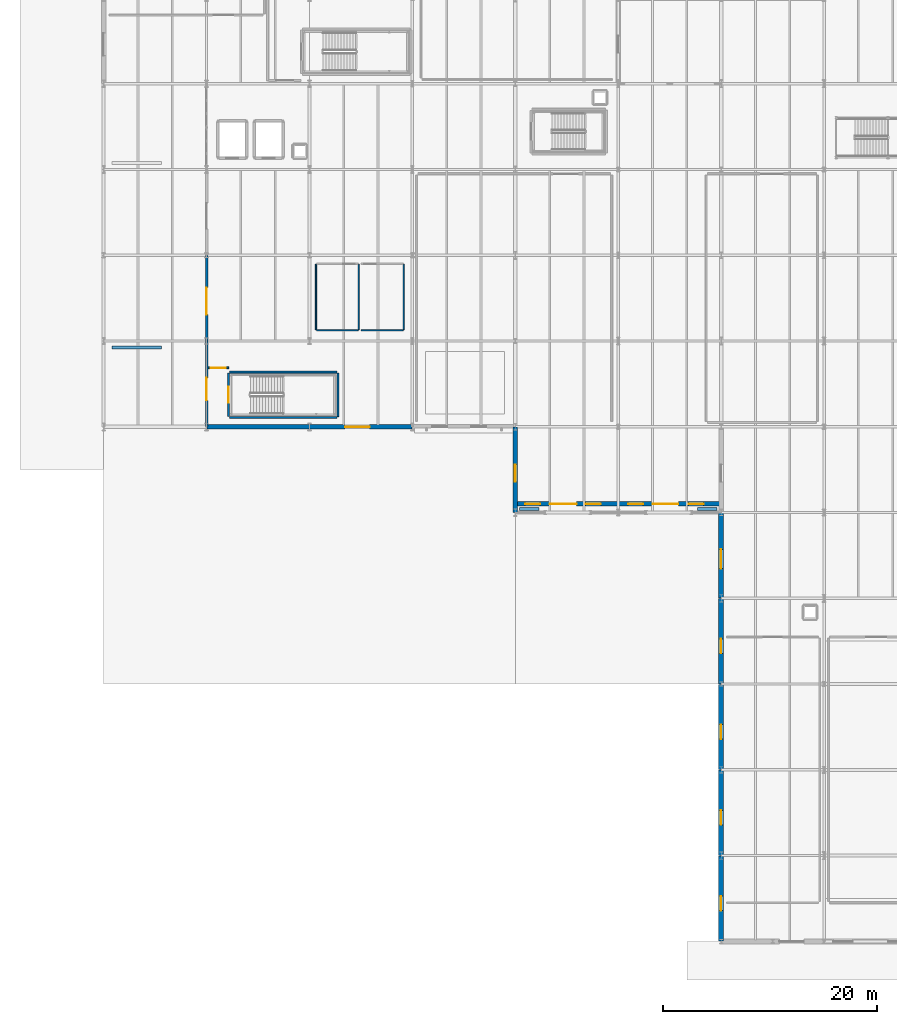
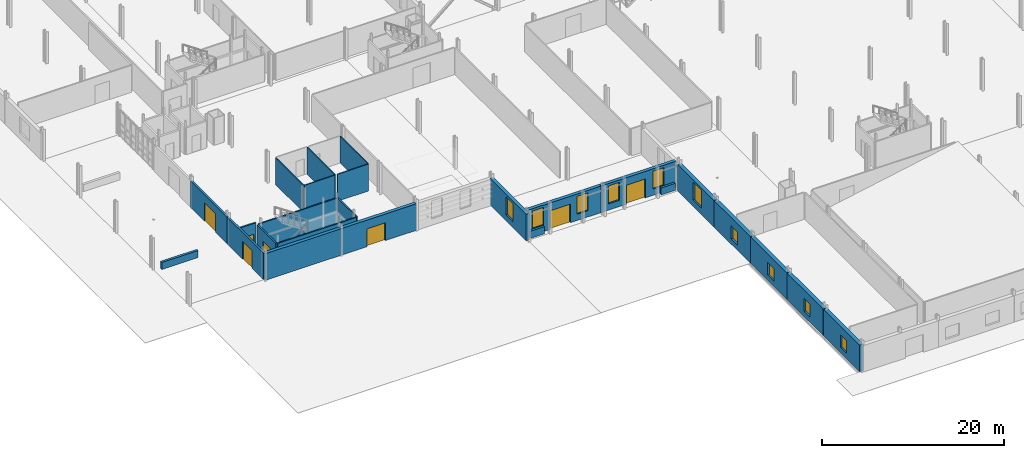
# One storey, part 58 of 78: 25 walls, 10 windows, 7 doors, 17 openings.
"""IFC4 building model written with IfcOpenShell, lengths in metres."""

from ifc_helpers import new_model, si_unit, direction, frame, frame_2d, origin, place, context, subcontext, project, spatial, rectangle, extrude, material, layer, layer_set, type_object, element, fill, save


model = new_model("IFC4")

# Units and contexts
model_context = context("Model", 3, precision=1e-05, world=origin(), true_north=direction((0.0, 1.0)))
body_context = subcontext(model_context, "Body", "Model", "MODEL_VIEW")
ifc_project = project(units=[si_unit("LENGTHUNIT", "METRE"), si_unit("AREAUNIT", "SQUARE_METRE"), si_unit("VOLUMEUNIT", "CUBIC_METRE"), si_unit("PLANEANGLEUNIT", "RADIAN"), si_unit("MASSUNIT", "GRAM", prefix="KILO")], contexts=[model_context])

# Site, building, storey
site_placement = place(None, origin())
site = spatial("IfcSite", under=ifc_project, at=site_placement, CompositionType="ELEMENT")
building_placement = place(site_placement, origin())
building = spatial("IfcBuilding", under=site, at=building_placement, Name="Alderhovde Museum", CompositionType="ELEMENT")
storey_placement = place(building_placement, origin())
storey = spatial("IfcBuildingStorey", under=building, at=storey_placement, Name="L00", CompositionType="ELEMENT", Elevation=0.0)

# Wall, openings, door, windows
ifc_material_1 = material(Name="Nordic Granite Plinth Masonry", Category="masonry")
ifc_layer_1 = layer(ifc_material_1, 0.419921875)
ifc_layer_set_1 = layer_set([ifc_layer_1], Name="Nordic Granite Plinth Masonry")
wall_type_1 = type_object("IfcWallType", Name="EW-GRAN-420", PredefinedType="SOLIDWALL", material=ifc_layer_set_1)
wall_1_placement = place(storey_placement, frame((48.02001953125, 40.800048828125, 0.0), z_axis=(0.0, 0.0, 1.0), x_axis=(1.0, 0.0, 0.0)))
wall_1 = element("IfcWall", 1, at=wall_1_placement, inside=storey, type_object=wall_type_1, Name="L00 Beaux-Arts Portico Colonnade Portal Wall 4", PredefinedType="SOLIDWALL", context=body_context, shape_type="SweptSolid", body=[
    extrude(rectangle(XDim=9.56005859375, YDim=0.419921875, at=frame_2d((4.780029296875, 0.0))), origin(), (0.0, 0.0, 1.0), 3.56005859375),
])
opening_1_placement = place(wall_1_placement, frame((3.199951171875, 0.0, 0.0)))
opening_1 = element("IfcOpeningElement", 2, at=opening_1_placement, cuts=wall_1, Name="Opening ED02", PredefinedType="OPENING", context=body_context, shape_type="SweptSolid", body=[
    extrude(rectangle(XDim=2.5, YDim=2.5, at=frame_2d((1.25, 1.25))), frame((0.0, 0.219970703125, 0.0), z_axis=(0.0, -1.0, 0.0), x_axis=(1.0, 0.0, 0.0)), (0.0, 0.0, 1.0), 0.43994140625),
])
opening_2_placement = place(wall_1_placement, frame((0.89990234375, 0.0, 0.85009765625)))
opening_2 = element("IfcOpeningElement", 3, at=opening_2_placement, cuts=wall_1, Name="Opening W07", PredefinedType="OPENING", context=body_context, shape_type="SweptSolid", body=[
    extrude(rectangle(XDim=1.39990234375, YDim=2.39990234375, at=frame_2d((0.699951171875, 1.199951171875))), frame((0.0, 0.219970703125, 0.0), z_axis=(0.0, -1.0, 0.0), x_axis=(1.0, 0.0, 0.0)), (0.0, 0.0, 1.0), 0.43994140625),
])
opening_3_placement = place(wall_1_placement, frame((6.550048828125, 0.0, 0.85009765625)))
opening_3 = element("IfcOpeningElement", 4, at=opening_3_placement, cuts=wall_1, Name="Opening W07", PredefinedType="OPENING", context=body_context, shape_type="SweptSolid", body=[
    extrude(rectangle(XDim=1.39990234375, YDim=2.39990234375, at=frame_2d((0.699951171875, 1.199951171875))), frame((0.0, 0.219970703125, 0.0), z_axis=(0.0, -1.0, 0.0), x_axis=(1.0, 0.0, 0.0)), (0.0, 0.0, 1.0), 0.43994140625),
])
ifc_material_2 = material(Name="Thermally Broken Bronze-Anodised Aluminium and Laminated Glass", Category="aluminium")
door_type_1 = type_object("IfcDoorType", Name="DR-EXT-2500x2500", OperationType="NOTDEFINED", PredefinedType="DOOR", material=ifc_material_2)
door_1_placement = place(opening_1_placement, frame((2.5, 0.0, 0.0), z_axis=(0.0, 0.0, 1.0), x_axis=(-1.0, 0.0, 0.0)))
door_1 = element("IfcDoor", 5, at=door_1_placement, inside=storey, type_object=door_type_1, Name="Beaux-Arts Portico Main Door West", OperationType="DOUBLE_DOOR_SINGLE_SWING", OverallHeight=2.5, OverallWidth=2.5, PredefinedType="DOOR", context=body_context, shape_type="SweptSolid", body=[
    extrude(rectangle(XDim=2.5, YDim=2.5, at=frame_2d((1.25, 1.25))), frame((0.0, 0.02490234375, 0.0), z_axis=(0.0, -1.0, 0.0), x_axis=(1.0, 0.0, 0.0)), (0.0, 0.0, 1.0), 0.050048828125),
])
fill(opening_1, door_1)
ifc_material_3 = material(Name="Triple-Glazed Low-E Bronze-Anodised Aluminium", Category="aluminium")
window_type_1 = type_object("IfcWindowType", Name="WIN-BA-1400x2400", PartitioningType="SINGLE_PANEL", PredefinedType="WINDOW", material=ifc_material_3)
window_1_placement = place(opening_2_placement, origin())
window_1 = element("IfcWindow", 6, at=window_1_placement, inside=storey, type_object=window_type_1, Name="L00 Facade Window 1", OverallHeight=2.39990234375, OverallWidth=1.39990234375, PartitioningType="SINGLE_PANEL", PredefinedType="WINDOW", context=body_context, shape_type="SweptSolid", body=[
    extrude(rectangle(XDim=1.39990234375, YDim=2.39990234375, at=frame_2d((0.699951171875, 1.199951171875))), frame((0.0, 0.030029296875, 0.0), z_axis=(0.0, -1.0, 0.0), x_axis=(1.0, 0.0, 0.0)), (0.0, 0.0, 1.0), 0.06005859375),
])
fill(opening_2, window_1)
window_2_placement = place(opening_3_placement, origin())
window_2 = element("IfcWindow", 7, at=window_2_placement, inside=storey, type_object=window_type_1, Name="L00 Facade Window 2", OverallHeight=2.39990234375, OverallWidth=1.39990234375, PartitioningType="SINGLE_PANEL", PredefinedType="WINDOW", context=body_context, shape_type="SweptSolid", body=[
    extrude(rectangle(XDim=1.39990234375, YDim=2.39990234375, at=frame_2d((0.699951171875, 1.199951171875))), frame((0.0, 0.030029296875, 0.0), z_axis=(0.0, -1.0, 0.0), x_axis=(1.0, 0.0, 0.0)), (0.0, 0.0, 1.0), 0.06005859375),
])
fill(opening_3, window_2)

wall_2_placement = place(storey_placement, frame((57.6201171875, 40.800048828125, 0.0), z_axis=(0.0, 0.0, 1.0), x_axis=(1.0, 0.0, 0.0)))
wall_2 = element("IfcWall", 8, at=wall_2_placement, inside=storey, type_object=wall_type_1, Name="L00 Beaux-Arts Portico Colonnade Portal Wall 5", PredefinedType="SOLIDWALL", context=body_context, shape_type="SweptSolid", body=[
    extrude(rectangle(XDim=9.559814453125, YDim=0.419921875, at=frame_2d((4.77978515625, 0.0))), origin(), (0.0, 0.0, 1.0), 3.56005859375),
])
opening_4_placement = place(wall_2_placement, frame((3.199951171875, 0.0, 0.0)))
opening_4 = element("IfcOpeningElement", 9, at=opening_4_placement, cuts=wall_2, Name="Opening ED05", PredefinedType="OPENING", context=body_context, shape_type="SweptSolid", body=[
    extrude(rectangle(XDim=2.39990234375, YDim=2.550048828125, at=frame_2d((1.199951171875, 1.27490234375))), frame((0.0, 0.219970703125, 0.0), z_axis=(0.0, -1.0, 0.0), x_axis=(1.0, 0.0, 0.0)), (0.0, 0.0, 1.0), 0.43994140625),
])
opening_5_placement = place(wall_2_placement, frame((0.89990234375, 0.0, 0.85009765625)))
opening_5 = element("IfcOpeningElement", 10, at=opening_5_placement, cuts=wall_2, Name="Opening W07", PredefinedType="OPENING", context=body_context, shape_type="SweptSolid", body=[
    extrude(rectangle(XDim=1.39990234375, YDim=2.39990234375, at=frame_2d((0.699951171875, 1.199951171875))), frame((0.0, 0.219970703125, 0.0), z_axis=(0.0, -1.0, 0.0), x_axis=(1.0, 0.0, 0.0)), (0.0, 0.0, 1.0), 0.43994140625),
])
opening_6_placement = place(wall_2_placement, frame((6.550048828125, 0.0, 0.85009765625)))
opening_6 = element("IfcOpeningElement", 11, at=opening_6_placement, cuts=wall_2, Name="Opening W07", PredefinedType="OPENING", context=body_context, shape_type="SweptSolid", body=[
    extrude(rectangle(XDim=1.39990234375, YDim=2.39990234375, at=frame_2d((0.699951171875, 1.199951171875))), frame((0.0, 0.219970703125, 0.0), z_axis=(0.0, -1.0, 0.0), x_axis=(1.0, 0.0, 0.0)), (0.0, 0.0, 1.0), 0.43994140625),
])
ifc_material_4 = material(Name="Thermally Broken Bronze-Anodised Aluminium and Laminated Glass", Category="aluminium")
door_type_2 = type_object("IfcDoorType", Name="DR-EXT-2400x2550", OperationType="NOTDEFINED", PredefinedType="DOOR", material=ifc_material_4)
door_2_placement = place(opening_4_placement, frame((2.39990234375, 0.0, 0.0), z_axis=(0.0, 0.0, 1.0), x_axis=(-1.0, 0.0, 0.0)))
door_2 = element("IfcDoor", 12, at=door_2_placement, inside=storey, type_object=door_type_2, Name="Beaux-Arts Portico Main Door East", OperationType="DOUBLE_DOOR_SINGLE_SWING", OverallHeight=2.550048828125, OverallWidth=2.39990234375, PredefinedType="DOOR", context=body_context, shape_type="SweptSolid", body=[
    extrude(rectangle(XDim=2.39990234375, YDim=2.550048828125, at=frame_2d((1.199951171875, 1.27490234375))), frame((0.0, 0.02490234375, 0.0), z_axis=(0.0, -1.0, 0.0), x_axis=(1.0, 0.0, 0.0)), (0.0, 0.0, 1.0), 0.050048828125),
])
fill(opening_4, door_2)
window_3_placement = place(opening_5_placement, origin())
window_3 = element("IfcWindow", 13, at=window_3_placement, inside=storey, type_object=window_type_1, Name="L00 Facade Window 3", OverallHeight=2.39990234375, OverallWidth=1.39990234375, PartitioningType="SINGLE_PANEL", PredefinedType="WINDOW", context=body_context, shape_type="SweptSolid", body=[
    extrude(rectangle(XDim=1.39990234375, YDim=2.39990234375, at=frame_2d((0.699951171875, 1.199951171875))), frame((0.0, 0.030029296875, 0.0), z_axis=(0.0, -1.0, 0.0), x_axis=(1.0, 0.0, 0.0)), (0.0, 0.0, 1.0), 0.06005859375),
])
fill(opening_5, window_3)
window_4_placement = place(opening_6_placement, origin())
window_4 = element("IfcWindow", 14, at=window_4_placement, inside=storey, type_object=window_type_1, Name="L00 Facade Window 4", OverallHeight=2.39990234375, OverallWidth=1.39990234375, PartitioningType="SINGLE_PANEL", PredefinedType="WINDOW", context=body_context, shape_type="SweptSolid", body=[
    extrude(rectangle(XDim=1.39990234375, YDim=2.39990234375, at=frame_2d((0.699951171875, 1.199951171875))), frame((0.0, 0.030029296875, 0.0), z_axis=(0.0, -1.0, 0.0), x_axis=(1.0, 0.0, 0.0)), (0.0, 0.0, 1.0), 0.06005859375),
])
fill(opening_6, window_4)

# Wall, opening, window
wall_3_placement = place(storey_placement, frame((48.0, 40.02001953125, 0.0), z_axis=(0.0, 0.0, 1.0), x_axis=(0.0, 1.0, 0.0)))
wall_3 = element("IfcWall", 15, at=wall_3_placement, inside=storey, type_object=wall_type_1, Name="L00 Beaux-Arts Portico Flank Wall 6", PredefinedType="SOLIDWALL", context=body_context, shape_type="SweptSolid", body=[
    extrude(rectangle(XDim=7.9599609375, YDim=0.419921875, at=frame_2d((3.97998046875, 0.0))), origin(), (0.0, 0.0, 1.0), 3.56005859375),
])
opening_7_placement = place(wall_3_placement, frame((2.85009765625, 0.0, 0.800048828125)))
opening_7 = element("IfcOpeningElement", 16, at=opening_7_placement, cuts=wall_3, Name="Opening W06", PredefinedType="OPENING", context=body_context, shape_type="SweptSolid", body=[
    extrude(rectangle(XDim=1.60009765625, YDim=2.39990234375, at=frame_2d((0.800048828125, 1.199951171875))), frame((0.0, 0.219970703125, 0.0), z_axis=(0.0, -1.0, 0.0), x_axis=(1.0, 0.0, 0.0)), (0.0, 0.0, 1.0), 0.43994140625),
])
ifc_material_5 = material(Name="Triple-Glazed Low-E Bronze-Anodised Aluminium", Category="aluminium")
window_type_2 = type_object("IfcWindowType", Name="WIN-BA-1600x2400", PartitioningType="DOUBLE_PANEL_VERTICAL", PredefinedType="WINDOW", material=ifc_material_5)
window_5_placement = place(opening_7_placement, origin())
window_5 = element("IfcWindow", 17, at=window_5_placement, inside=storey, type_object=window_type_2, Name="L00 Facade Window 5", OverallHeight=2.39990234375, OverallWidth=1.60009765625, PartitioningType="SINGLE_PANEL", PredefinedType="WINDOW", context=body_context, shape_type="SweptSolid", body=[
    extrude(rectangle(XDim=1.60009765625, YDim=2.39990234375, at=frame_2d((0.800048828125, 1.199951171875))), frame((0.0, 0.030029296875, 0.0), z_axis=(0.0, -1.0, 0.0), x_axis=(1.0, 0.0, 0.0)), (0.0, 0.0, 1.0), 0.06005859375),
])
fill(opening_7, window_5)

# Wall
wall_4_placement = place(storey_placement, frame((19.219970703125, 48.0, 0.0), z_axis=(0.0, 0.0, 1.0), x_axis=(1.0, 0.0, 0.0)))
element("IfcWall", 18, at=wall_4_placement, inside=storey, type_object=wall_type_1, Name="L00 Folded Wing South Wall 14", PredefinedType="SOLIDWALL", context=body_context, shape_type="SweptSolid", body=[
    extrude(rectangle(XDim=9.56005859375, YDim=0.419921875, at=frame_2d((4.780029296875, 0.0))), origin(), (0.0, 0.0, 1.0), 3.56005859375),
])

# Wall, opening, door
wall_5_placement = place(storey_placement, frame((28.820068359375, 48.0, 0.0), z_axis=(0.0, 0.0, 1.0), x_axis=(1.0, 0.0, 0.0)))
wall_5 = element("IfcWall", 19, at=wall_5_placement, inside=storey, type_object=wall_type_1, Name="L00 Folded Wing South Wall 15", PredefinedType="SOLIDWALL", context=body_context, shape_type="SweptSolid", body=[
    extrude(rectangle(XDim=9.559814453125, YDim=0.419921875, at=frame_2d((4.77978515625, 0.0))), origin(), (0.0, 0.0, 1.0), 3.56005859375),
])
opening_8_placement = place(wall_5_placement, frame((3.300048828125, 0.0, 0.0)))
opening_8 = element("IfcOpeningElement", 20, at=opening_8_placement, cuts=wall_5, Name="Opening ED01", PredefinedType="OPENING", context=body_context, shape_type="SweptSolid", body=[
    extrude(rectangle(XDim=2.300048828125, YDim=2.39990234375, at=frame_2d((1.14990234375, 1.199951171875))), frame((0.0, 0.219970703125, 0.0), z_axis=(0.0, -1.0, 0.0), x_axis=(1.0, 0.0, 0.0)), (0.0, 0.0, 1.0), 0.43994140625),
])
ifc_material_6 = material(Name="Thermally Broken Bronze-Anodised Aluminium and Laminated Glass", Category="aluminium")
door_type_3 = type_object("IfcDoorType", Name="DR-EXT-2300x2400", OperationType="NOTDEFINED", PredefinedType="DOOR", material=ifc_material_6)
door_3_placement = place(opening_8_placement, frame((2.300048828125, 0.0, 0.0), z_axis=(0.0, 0.0, 1.0), x_axis=(-1.0, 0.0, 0.0)))
door_3 = element("IfcDoor", 21, at=door_3_placement, inside=storey, type_object=door_type_3, Name="South Forecourt Exit Door", OperationType="DOUBLE_DOOR_SINGLE_SWING", OverallHeight=2.39990234375, OverallWidth=2.300048828125, PredefinedType="DOOR", context=body_context, shape_type="SweptSolid", body=[
    extrude(rectangle(XDim=2.300048828125, YDim=2.39990234375, at=frame_2d((1.14990234375, 1.199951171875))), frame((0.0, 0.02490234375, 0.0), z_axis=(0.0, -1.0, 0.0), x_axis=(1.0, 0.0, 0.0)), (0.0, 0.0, 1.0), 0.050048828125),
])
fill(opening_8, door_3)

# Wall, opening, window
ifc_material_7 = material(Name="Nordic Granite Ashlar on Concrete C35/45", Category="masonry")
ifc_layer_2 = layer(ifc_material_7, 0.47998046875)
ifc_layer_set_2 = layer_set([ifc_layer_2], Name="Nordic Granite Ashlar on Concrete C35/45")
wall_type_2 = type_object("IfcWallType", Name="EW-GRAN-480", PredefinedType="SOLIDWALL", material=ifc_layer_set_2)
wall_6_placement = place(storey_placement, frame((67.199951171875, 32.02001953125, 0.0), z_axis=(0.0, 0.0, 1.0), x_axis=(0.0, 1.0, 0.0)))
wall_6 = element("IfcWall", 22, at=wall_6_placement, inside=storey, type_object=wall_type_2, Name="L00 Courtyard Link West Granite Wall 12", PredefinedType="SOLIDWALL", context=body_context, shape_type="SweptSolid", body=[
    extrude(rectangle(XDim=7.9599609375, YDim=0.47998046875, at=frame_2d((3.97998046875, 0.0))), origin(), (0.0, 0.0, 1.0), 3.56005859375),
])
opening_9_placement = place(wall_6_placement, frame((2.75, 0.0, 0.85009765625)))
opening_9 = element("IfcOpeningElement", 23, at=opening_9_placement, cuts=wall_6, Name="Opening W05", PredefinedType="OPENING", context=body_context, shape_type="SweptSolid", body=[
    extrude(rectangle(XDim=1.800048828125, YDim=2.39990234375, at=frame_2d((0.89990234375, 1.199951171875))), frame((0.0, 0.25, 0.0), z_axis=(0.0, -1.0, 0.0), x_axis=(1.0, 0.0, 0.0)), (0.0, 0.0, 1.0), 0.5),
])
ifc_material_8 = material(Name="Triple-Glazed Low-E Bronze-Anodised Aluminium", Category="aluminium")
window_type_3 = type_object("IfcWindowType", Name="WIN-BA-1800x2400", PartitioningType="DOUBLE_PANEL_VERTICAL", PredefinedType="WINDOW", material=ifc_material_8)
window_6_placement = place(opening_9_placement, origin())
window_6 = element("IfcWindow", 24, at=window_6_placement, inside=storey, type_object=window_type_3, Name="L00 Facade Window 13", OverallHeight=2.39990234375, OverallWidth=1.800048828125, PartitioningType="SINGLE_PANEL", PredefinedType="WINDOW", context=body_context, shape_type="SweptSolid", body=[
    extrude(rectangle(XDim=1.800048828125, YDim=2.39990234375, at=frame_2d((0.89990234375, 1.199951171875))), frame((0.0, 0.030029296875, 0.0), z_axis=(0.0, -1.0, 0.0), x_axis=(1.0, 0.0, 0.0)), (0.0, 0.0, 1.0), 0.06005859375),
])
fill(opening_9, window_6)

wall_7_placement = place(storey_placement, frame((67.199951171875, 0.02001953125, 0.0), z_axis=(0.0, 0.0, 1.0), x_axis=(0.0, 1.0, 0.0)))
wall_7 = element("IfcWall", 25, at=wall_7_placement, inside=storey, type_object=wall_type_2, Name="L00 Auditorium West Granite Wall 90", PredefinedType="SOLIDWALL", context=body_context, shape_type="SweptSolid", body=[
    extrude(rectangle(XDim=7.9599609375, YDim=0.47998046875, at=frame_2d((3.97998046875, 0.0))), origin(), (0.0, 0.0, 1.0), 3.56005859375),
])
opening_10_placement = place(wall_7_placement, frame((2.85009765625, 0.0, 0.719970703125)))
opening_10 = element("IfcOpeningElement", 26, at=opening_10_placement, cuts=wall_7, Name="Opening W28", PredefinedType="OPENING", context=body_context, shape_type="SweptSolid", body=[
    extrude(rectangle(XDim=1.35009765625, YDim=1.699951171875, at=frame_2d((0.675048828125, 0.85009765625))), frame((0.0, 0.25, 0.0), z_axis=(0.0, -1.0, 0.0), x_axis=(1.0, 0.0, 0.0)), (0.0, 0.0, 1.0), 0.5),
])
ifc_material_9 = material(Name="Triple-Glazed Low-E Bronze-Anodised Aluminium", Category="aluminium")
window_type_4 = type_object("IfcWindowType", Name="WIN-LAB-1350x1700", PartitioningType="SINGLE_PANEL", PredefinedType="WINDOW", material=ifc_material_9)
window_7_placement = place(opening_10_placement, origin())
window_7 = element("IfcWindow", 27, at=window_7_placement, inside=storey, type_object=window_type_4, Name="L00 Facade Window 61", OverallHeight=1.699951171875, OverallWidth=1.35009765625, PartitioningType="SINGLE_PANEL", PredefinedType="WINDOW", context=body_context, shape_type="SweptSolid", body=[
    extrude(rectangle(XDim=1.35009765625, YDim=1.699951171875, at=frame_2d((0.675048828125, 0.85009765625))), frame((0.0, 0.030029296875, 0.0), z_axis=(0.0, -1.0, 0.0), x_axis=(1.0, 0.0, 0.0)), (0.0, 0.0, 1.0), 0.06005859375),
])
fill(opening_10, window_7)

wall_8_placement = place(storey_placement, frame((67.199951171875, 8.02001953125, 0.0), z_axis=(0.0, 0.0, 1.0), x_axis=(0.0, 1.0, 0.0)))
wall_8 = element("IfcWall", 28, at=wall_8_placement, inside=storey, type_object=wall_type_2, Name="L00 Auditorium West Granite Wall 92", PredefinedType="SOLIDWALL", context=body_context, shape_type="SweptSolid", body=[
    extrude(rectangle(XDim=7.9599609375, YDim=0.47998046875, at=frame_2d((3.97998046875, 0.0))), origin(), (0.0, 0.0, 1.0), 3.56005859375),
])
opening_11_placement = place(wall_8_placement, frame((2.85009765625, 0.0, 0.719970703125)))
opening_11 = element("IfcOpeningElement", 29, at=opening_11_placement, cuts=wall_8, Name="Opening W28", PredefinedType="OPENING", context=body_context, shape_type="SweptSolid", body=[
    extrude(rectangle(XDim=1.35009765625, YDim=1.699951171875, at=frame_2d((0.675048828125, 0.85009765625))), frame((0.0, 0.25, 0.0), z_axis=(0.0, -1.0, 0.0), x_axis=(1.0, 0.0, 0.0)), (0.0, 0.0, 1.0), 0.5),
])
window_8_placement = place(opening_11_placement, origin())
window_8 = element("IfcWindow", 30, at=window_8_placement, inside=storey, type_object=window_type_4, Name="L00 Facade Window 63", OverallHeight=1.699951171875, OverallWidth=1.35009765625, PartitioningType="SINGLE_PANEL", PredefinedType="WINDOW", context=body_context, shape_type="SweptSolid", body=[
    extrude(rectangle(XDim=1.35009765625, YDim=1.699951171875, at=frame_2d((0.675048828125, 0.85009765625))), frame((0.0, 0.030029296875, 0.0), z_axis=(0.0, -1.0, 0.0), x_axis=(1.0, 0.0, 0.0)), (0.0, 0.0, 1.0), 0.06005859375),
])
fill(opening_11, window_8)

wall_9_placement = place(storey_placement, frame((67.199951171875, 16.02001953125, 0.0), z_axis=(0.0, 0.0, 1.0), x_axis=(0.0, 1.0, 0.0)))
wall_9 = element("IfcWall", 31, at=wall_9_placement, inside=storey, type_object=wall_type_2, Name="L00 Auditorium West Granite Wall 94", PredefinedType="SOLIDWALL", context=body_context, shape_type="SweptSolid", body=[
    extrude(rectangle(XDim=7.9599609375, YDim=0.47998046875, at=frame_2d((3.97998046875, 0.0))), origin(), (0.0, 0.0, 1.0), 3.56005859375),
])
opening_12_placement = place(wall_9_placement, frame((2.85009765625, 0.0, 0.719970703125)))
opening_12 = element("IfcOpeningElement", 32, at=opening_12_placement, cuts=wall_9, Name="Opening W28", PredefinedType="OPENING", context=body_context, shape_type="SweptSolid", body=[
    extrude(rectangle(XDim=1.35009765625, YDim=1.699951171875, at=frame_2d((0.675048828125, 0.85009765625))), frame((0.0, 0.25, 0.0), z_axis=(0.0, -1.0, 0.0), x_axis=(1.0, 0.0, 0.0)), (0.0, 0.0, 1.0), 0.5),
])
window_9_placement = place(opening_12_placement, origin())
window_9 = element("IfcWindow", 33, at=window_9_placement, inside=storey, type_object=window_type_4, Name="L00 Facade Window 65", OverallHeight=1.699951171875, OverallWidth=1.35009765625, PartitioningType="SINGLE_PANEL", PredefinedType="WINDOW", context=body_context, shape_type="SweptSolid", body=[
    extrude(rectangle(XDim=1.35009765625, YDim=1.699951171875, at=frame_2d((0.675048828125, 0.85009765625))), frame((0.0, 0.030029296875, 0.0), z_axis=(0.0, -1.0, 0.0), x_axis=(1.0, 0.0, 0.0)), (0.0, 0.0, 1.0), 0.06005859375),
])
fill(opening_12, window_9)

wall_10_placement = place(storey_placement, frame((67.199951171875, 24.02001953125, 0.0), z_axis=(0.0, 0.0, 1.0), x_axis=(0.0, 1.0, 0.0)))
wall_10 = element("IfcWall", 34, at=wall_10_placement, inside=storey, type_object=wall_type_2, Name="L00 Auditorium West Granite Wall 96", PredefinedType="SOLIDWALL", context=body_context, shape_type="SweptSolid", body=[
    extrude(rectangle(XDim=7.9599609375, YDim=0.47998046875, at=frame_2d((3.97998046875, 0.0))), origin(), (0.0, 0.0, 1.0), 3.56005859375),
])
opening_13_placement = place(wall_10_placement, frame((2.85009765625, 0.0, 0.719970703125)))
opening_13 = element("IfcOpeningElement", 35, at=opening_13_placement, cuts=wall_10, Name="Opening W28", PredefinedType="OPENING", context=body_context, shape_type="SweptSolid", body=[
    extrude(rectangle(XDim=1.35009765625, YDim=1.699951171875, at=frame_2d((0.675048828125, 0.85009765625))), frame((0.0, 0.25, 0.0), z_axis=(0.0, -1.0, 0.0), x_axis=(1.0, 0.0, 0.0)), (0.0, 0.0, 1.0), 0.5),
])
window_10_placement = place(opening_13_placement, origin())
window_10 = element("IfcWindow", 36, at=window_10_placement, inside=storey, type_object=window_type_4, Name="L00 Facade Window 67", OverallHeight=1.699951171875, OverallWidth=1.35009765625, PartitioningType="SINGLE_PANEL", PredefinedType="WINDOW", context=body_context, shape_type="SweptSolid", body=[
    extrude(rectangle(XDim=1.35009765625, YDim=1.699951171875, at=frame_2d((0.675048828125, 0.85009765625))), frame((0.0, 0.030029296875, 0.0), z_axis=(0.0, -1.0, 0.0), x_axis=(1.0, 0.0, 0.0)), (0.0, 0.0, 1.0), 0.06005859375),
])
fill(opening_13, window_10)

# Wall, opening, door
ifc_material_10 = material(Name="Bronze and Granite Portal Wall", Category="masonry")
ifc_layer_3 = layer(ifc_material_10, 0.239990234375)
ifc_layer_set_3 = layer_set([ifc_layer_3], Name="Bronze and Granite Portal Wall")
wall_type_3 = type_object("IfcWallType", Name="EW-PORCH-240", PredefinedType="SOLIDWALL", material=ifc_layer_set_3)
wall_11_placement = place(storey_placement, frame((19.199951171875, 48.02001953125, 0.0), z_axis=(0.0, 0.0, 1.0), x_axis=(0.0, 1.0, 0.0)))
wall_11 = element("IfcWall", 37, at=wall_11_placement, inside=storey, type_object=wall_type_3, Name="L00 Recessed West Entrance Portal Wall 1", PredefinedType="SOLIDWALL", context=body_context, shape_type="SweptSolid", body=[
    extrude(rectangle(XDim=7.9599609375, YDim=0.239990234375, at=frame_2d((3.97998046875, 0.0))), origin(), (0.0, 0.0, 1.0), 3.56005859375),
])
opening_14_placement = place(wall_11_placement, frame((2.449951171875, 0.0, 0.0)))
opening_14 = element("IfcOpeningElement", 38, at=opening_14_placement, cuts=wall_11, Name="Opening ED03", PredefinedType="OPENING", context=body_context, shape_type="SweptSolid", body=[
    extrude(rectangle(XDim=2.10009765625, YDim=2.39990234375, at=frame_2d((1.050048828125, 1.199951171875))), frame((0.0, 0.1298828125, 0.0), z_axis=(0.0, -1.0, 0.0), x_axis=(1.0, 0.0, 0.0)), (0.0, 0.0, 1.0), 0.260009765625),
])
ifc_material_11 = material(Name="Thermally Broken Bronze-Anodised Aluminium and Laminated Glass", Category="aluminium")
door_type_4 = type_object("IfcDoorType", Name="DR-EXT-2100x2400", OperationType="NOTDEFINED", PredefinedType="DOOR", material=ifc_material_11)
door_4_placement = place(opening_14_placement, origin())
door_4 = element("IfcDoor", 39, at=door_4_placement, inside=storey, type_object=door_type_4, Name="Stair ST1 Protected Discharge Exit Door", OperationType="DOUBLE_DOOR_SINGLE_SWING", OverallHeight=2.39990234375, OverallWidth=2.10009765625, PredefinedType="DOOR", context=body_context, shape_type="SweptSolid", body=[
    extrude(rectangle(XDim=2.10009765625, YDim=2.39990234375, at=frame_2d((1.050048828125, 1.199951171875))), frame((0.0, 0.02490234375, 0.0), z_axis=(0.0, -1.0, 0.0), x_axis=(1.0, 0.0, 0.0)), (0.0, 0.0, 1.0), 0.050048828125),
])
fill(opening_14, door_4)

wall_12_placement = place(storey_placement, frame((19.199951171875, 56.02001953125, 0.0), z_axis=(0.0, 0.0, 1.0), x_axis=(0.0, 1.0, 0.0)))
wall_12 = element("IfcWall", 40, at=wall_12_placement, inside=storey, type_object=wall_type_3, Name="L00 Recessed West Entrance Portal Wall 2", PredefinedType="SOLIDWALL", context=body_context, shape_type="SweptSolid", body=[
    extrude(rectangle(XDim=7.9599609375, YDim=0.239990234375, at=frame_2d((3.97998046875, 0.0))), origin(), (0.0, 0.0, 1.0), 3.56005859375),
])
opening_15_placement = place(wall_12_placement, frame((2.449951171875, 0.0, 0.0)))
opening_15 = element("IfcOpeningElement", 41, at=opening_15_placement, cuts=wall_12, Name="Opening ED02", PredefinedType="OPENING", context=body_context, shape_type="SweptSolid", body=[
    extrude(rectangle(XDim=2.5, YDim=2.5, at=frame_2d((1.25, 1.25))), frame((0.0, 0.1298828125, 0.0), z_axis=(0.0, -1.0, 0.0), x_axis=(1.0, 0.0, 0.0)), (0.0, 0.0, 1.0), 0.260009765625),
])
door_5_placement = place(opening_15_placement, origin())
door_5 = element("IfcDoor", 42, at=door_5_placement, inside=storey, type_object=door_type_1, Name="West Prow Entrance Door 1", OperationType="DOUBLE_DOOR_SINGLE_SWING", OverallHeight=2.5, OverallWidth=2.5, PredefinedType="DOOR", context=body_context, shape_type="SweptSolid", body=[
    extrude(rectangle(XDim=2.5, YDim=2.5, at=frame_2d((1.25, 1.25))), frame((0.0, 0.02490234375, 0.0), z_axis=(0.0, -1.0, 0.0), x_axis=(1.0, 0.0, 0.0)), (0.0, 0.0, 1.0), 0.050048828125),
])
fill(opening_15, door_5)

ifc_material_12 = material(Name="Fire-Resisting Stair Lobby Wall")
ifc_layer_4 = layer(ifc_material_12, 0.169921875)
ifc_layer_set_4 = layer_set([ifc_layer_4], Name="Fire-Resisting Stair Lobby Wall")
wall_type_4 = type_object("IfcWallType", Name="IW-STAIR-170", PredefinedType="SOLIDWALL", material=ifc_layer_set_4)
wall_13_placement = place(storey_placement, frame((21.260009765625, 48.9599609375, 0.0), z_axis=(0.0, 0.0, 1.0), x_axis=(0.0, 1.0, 0.0)))
wall_13 = element("IfcWall", 43, at=wall_13_placement, inside=storey, type_object=wall_type_4, Name="L00 Escape Stair ST1 Fire Wall W", PredefinedType="SOLIDWALL", context=body_context, shape_type="SweptSolid", body=[
    extrude(rectangle(XDim=4.0400390625, YDim=0.169921875, at=frame_2d((2.02001953125, 0.0))), origin(), (0.0, 0.0, 1.0), 3.60009765625),
])
opening_16_placement = place(wall_13_placement, frame((1.27001953125, 0.0, 0.0)))
opening_16 = element("IfcOpeningElement", 44, at=opening_16_placement, cuts=wall_13, Name="Opening FD-1", PredefinedType="OPENING", context=body_context, shape_type="SweptSolid", body=[
    extrude(rectangle(XDim=1.5, YDim=2.199951171875, at=frame_2d((0.75, 1.10009765625))), frame((0.0, 0.094970703125, 0.0), z_axis=(0.0, -1.0, 0.0), x_axis=(1.0, 0.0, 0.0)), (0.0, 0.0, 1.0), 0.18994140625),
])
ifc_material_13 = material(Name="Fire-Rated Steel Stair Escape Door (Steel/Oak)", Category="steel")
door_type_5 = type_object("IfcDoorType", Name="FD-STAIR-1500x2200", OperationType="NOTDEFINED", PredefinedType="DOOR", material=ifc_material_13)
door_6_placement = place(opening_16_placement, origin())
door_6 = element("IfcDoor", 45, at=door_6_placement, inside=storey, type_object=door_type_5, Name="L00 Escape Stair ST1 Fire Door", OperationType="SINGLE_SWING_RIGHT", OverallHeight=2.199951171875, OverallWidth=1.5, PredefinedType="DOOR", context=body_context, shape_type="SweptSolid", body=[
    extrude(rectangle(XDim=1.5, YDim=2.199951171875, at=frame_2d((0.75, 1.10009765625))), frame((0.0, 0.02490234375, 0.0), z_axis=(0.0, -1.0, 0.0), x_axis=(1.0, 0.0, 0.0)), (0.0, 0.0, 1.0), 0.050048828125),
])
fill(opening_16, door_6)

# Walls
wall_14_placement = place(storey_placement, frame((31.4599609375, 48.9599609375, 0.0), z_axis=(0.0, 0.0, 1.0), x_axis=(0.0, 1.0, 0.0)))
element("IfcWall", 46, at=wall_14_placement, inside=storey, type_object=wall_type_4, Name="L00 Escape Stair ST1 Fire Wall E", PredefinedType="SOLIDWALL", context=body_context, shape_type="SweptSolid", body=[
    extrude(rectangle(XDim=4.0400390625, YDim=0.169921875, at=frame_2d((2.02001953125, 0.0))), origin(), (0.0, 0.0, 1.0), 3.60009765625),
])
for number, where, z_axis, x_axis, name in (
    (47, (21.360107421875, 48.860107421875, 0.0), (0.0, 0.0, 1.0), (1.0, 0.0, 0.0), "L00 Escape Stair ST1 Fire Wall S"),
    (48, (21.360107421875, 53.10009765625, 0.0), (0.0, 0.0, 1.0), (1.0, 0.0, 0.0), "L00 Escape Stair ST1 Fire Wall N"),
):
    element("IfcWall", number, at=place(storey_placement, frame(where, z_axis=z_axis, x_axis=x_axis)), inside=storey, type_object=wall_type_4, Name=name, PredefinedType="SOLIDWALL", context=body_context, shape_type="SweptSolid", body=[
        extrude(rectangle(XDim=10.0, YDim=0.169921875, at=frame_2d((5.0, 0.0))), origin(), (0.0, 0.0, 1.0), 3.60009765625),
    ])

# Wall, opening, door
wall_15_placement = place(storey_placement, frame((19.35009765625, 53.5, 0.0), z_axis=(0.0, 0.0, 1.0), x_axis=(1.0, 0.0, 0.0)))
wall_15 = element("IfcWall", 49, at=wall_15_placement, inside=storey, type_object=wall_type_4, Name="L00 Protected Exit Lobby ST1 Wall", PredefinedType="SOLIDWALL", context=body_context, shape_type="SweptSolid", body=[
    extrude(rectangle(XDim=1.89990234375, YDim=0.169921875, at=frame_2d((0.949951171875, 0.0))), origin(), (0.0, 0.0, 1.0), 3.60009765625),
])
opening_17_placement = place(wall_15_placement, frame((0.25, 0.0, 0.0)))
opening_17 = element("IfcOpeningElement", 50, at=opening_17_placement, cuts=wall_15, Name="Opening FD-6", PredefinedType="OPENING", context=body_context, shape_type="SweptSolid", body=[
    extrude(rectangle(XDim=1.39990234375, YDim=2.14990234375, at=frame_2d((0.699951171875, 1.074951171875))), frame((0.0, 0.094970703125, 0.0), z_axis=(0.0, -1.0, 0.0), x_axis=(1.0, 0.0, 0.0)), (0.0, 0.0, 1.0), 0.18994140625),
])
ifc_material_14 = material(Name="Fire-Rated Plant Room Door (Steel/Oak)", Category="steel")
door_type_6 = type_object("IfcDoorType", Name="FD-PLANT-1400x2150", OperationType="NOTDEFINED", PredefinedType="DOOR", material=ifc_material_14)
door_7_placement = place(opening_17_placement, origin())
door_7 = element("IfcDoor", 51, at=door_7_placement, inside=storey, type_object=door_type_6, Name="L00 Protected Exit Lobby ST1 Wall Fire Door", OperationType="SINGLE_SWING_LEFT", OverallHeight=2.14990234375, OverallWidth=1.39990234375, PredefinedType="DOOR", context=body_context, shape_type="SweptSolid", body=[
    extrude(rectangle(XDim=1.39990234375, YDim=2.14990234375, at=frame_2d((0.699951171875, 1.074951171875))), frame((0.0, 0.02490234375, 0.0), z_axis=(0.0, -1.0, 0.0), x_axis=(1.0, 0.0, 0.0)), (0.0, 0.0, 1.0), 0.050048828125),
])
fill(opening_17, door_7)

# Walls
ifc_material_15 = material(Name="Moisture-Resistant Sanitary Partition")
ifc_layer_5 = layer(ifc_material_15, 0.114990234375)
ifc_layer_set_5 = layer_set([ifc_layer_5], Name="Moisture-Resistant Sanitary Partition")
wall_type_5 = type_object("IfcWallType", Name="IW-WC-115", PredefinedType="PARTITIONING", material=ifc_layer_set_5)
wall_16_placement = place(storey_placement, frame((29.4599609375, 57.0, 0.0), z_axis=(0.0, 0.0, 1.0), x_axis=(1.0, 0.0, 0.0)))
element("IfcWall", 52, at=wall_16_placement, inside=storey, type_object=wall_type_5, Name="L00 Public WC Partition Wall S", PredefinedType="PARTITIONING", context=body_context, shape_type="SweptSolid", body=[
    extrude(rectangle(XDim=3.880126953125, YDim=0.114990234375, at=frame_2d((1.93994140625, 0.0))), origin(), (0.0, 0.0, 1.0), 3.60009765625),
])
for number, where, z_axis, x_axis, name in (
    (53, (29.39990234375, 57.06005859375, 0.0), (0.0, 0.0, 1.0), (0.0, 1.0, 0.0), "L00 Public WC Partition Wall W"),
    (54, (33.39990234375, 57.06005859375, 0.0), (0.0, 0.0, 1.0), (0.0, 1.0, 0.0), "L00 Public WC Partition Wall E"),
):
    element("IfcWall", number, at=place(storey_placement, frame(where, z_axis=z_axis, x_axis=x_axis)), inside=storey, type_object=wall_type_5, Name=name, PredefinedType="PARTITIONING", context=body_context, shape_type="SweptSolid", body=[
        extrude(rectangle(XDim=6.079833984375, YDim=0.114990234375, at=frame_2d((3.0400390625, 0.0))), origin(), (0.0, 0.0, 1.0), 3.60009765625),
    ])
wall_17_placement = place(storey_placement, frame((33.610107421875, 57.0, 0.0), z_axis=(0.0, 0.0, 1.0), x_axis=(1.0, 0.0, 0.0)))
element("IfcWall", 55, at=wall_17_placement, inside=storey, type_object=wall_type_5, Name="L00 Accessible WC Partition Wall S", PredefinedType="PARTITIONING", context=body_context, shape_type="SweptSolid", body=[
    extrude(rectangle(XDim=3.929931640625, YDim=0.114990234375, at=frame_2d((1.96484375, 0.0))), origin(), (0.0, 0.0, 1.0), 3.60009765625),
])
wall_18_placement = place(storey_placement, frame((37.60009765625, 57.06005859375, 0.0), z_axis=(0.0, 0.0, 1.0), x_axis=(0.0, 1.0, 0.0)))
element("IfcWall", 56, at=wall_18_placement, inside=storey, type_object=wall_type_5, Name="L00 Accessible WC Partition Wall E", PredefinedType="PARTITIONING", context=body_context, shape_type="SweptSolid", body=[
    extrude(rectangle(XDim=6.079833984375, YDim=0.114990234375, at=frame_2d((3.0400390625, 0.0))), origin(), (0.0, 0.0, 1.0), 3.60009765625),
])
ifc_material_16 = material(Name="Granite Coping Parapet", Category="masonry")
ifc_layer_6 = layer(ifc_material_16, 0.280029296875)
ifc_layer_set_6 = layer_set([ifc_layer_6], Name="Granite Coping Parapet")
wall_type_6 = type_object("IfcWallType", Name="PAR-STONE-280", PredefinedType="PARAPET", material=ifc_layer_set_6)
wall_19_placement = place(storey_placement, frame((10.39990234375, 55.39990234375, 0.0), z_axis=(0.0, 0.0, 1.0), x_axis=(1.0, 0.0, 0.0)))
element("IfcWall", 57, at=wall_19_placement, inside=storey, type_object=wall_type_6, Name="L00 Court Stone Parapet PRP-L00-W1", PredefinedType="PARAPET", context=body_context, shape_type="SweptSolid", body=[
    extrude(rectangle(XDim=4.60009765625, YDim=0.280029296875, at=frame_2d((2.300048828125, 0.0))), origin(), (0.0, 0.0, 1.0), 0.949951171875),
])
for number, where, z_axis, x_axis, name in (
    (58, (48.39990234375, 40.35009765625, 0.0), (0.0, 0.0, 1.0), (1.0, 0.0, 0.0), "L00 Court Stone Parapet PRP-L00-S1"),
    (59, (65.0, 40.35009765625, 0.0), (0.0, 0.0, 1.0), (1.0, 0.0, 0.0), "L00 Court Stone Parapet PRP-L00-S2"),
):
    element("IfcWall", number, at=place(storey_placement, frame(where, z_axis=z_axis, x_axis=x_axis)), inside=storey, type_object=wall_type_6, Name=name, PredefinedType="PARAPET", context=body_context, shape_type="SweptSolid", body=[
        extrude(rectangle(XDim=1.800048828125, YDim=0.280029296875, at=frame_2d((0.89990234375, 0.0))), origin(), (0.0, 0.0, 1.0), 0.949951171875),
    ])

save(model, "model.ifc")
